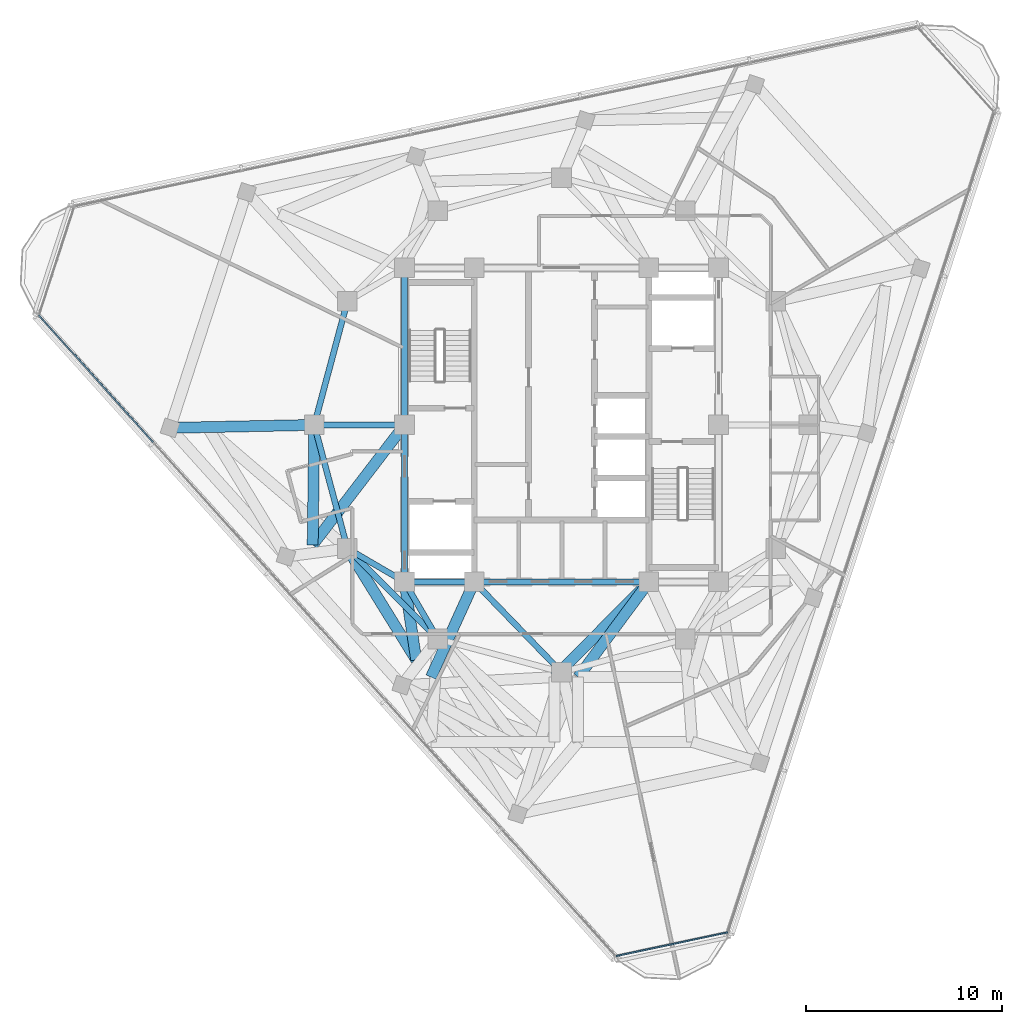
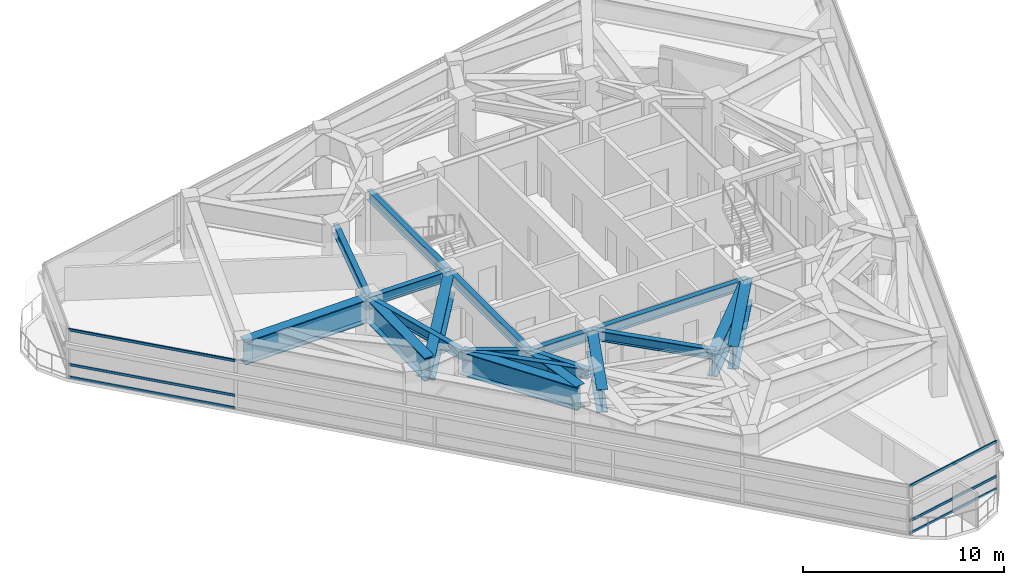
# One storey, part 3 of 15: 19 beams, 6 members, 2 elements without a shape of their own.
"""IFC4 building model written with IfcOpenShell, lengths in metres."""

from ifc_helpers import new_model, si_unit, direction, frame, origin, origin_2d, place, context, subcontext, project, spatial, rectangle, i_section, extrude, material, layer, layer_set, material_profile, profile_set, type_object, element, aggregate, save


model = new_model("IFC4")

# Units and contexts
model_context = context("Model", 3, precision=1e-05, world=origin(), true_north=direction((0.0, 1.0)))
body_context = subcontext(model_context, "Body", "Model", "MODEL_VIEW")
ifc_project = project(units=[si_unit("LENGTHUNIT", "METRE"), si_unit("AREAUNIT", "SQUARE_METRE"), si_unit("VOLUMEUNIT", "CUBIC_METRE"), si_unit("PLANEANGLEUNIT", "RADIAN"), si_unit("MASSUNIT", "GRAM", prefix="KILO")], contexts=[model_context])

# Site, building, storey
site_placement = place(None, origin())
site = spatial("IfcSite", under=ifc_project, at=site_placement, CompositionType="ELEMENT")
building_placement = place(site_placement, origin())
building = spatial("IfcBuilding", under=site, at=building_placement, Name="Terralouvre Media Tower", CompositionType="ELEMENT")
storey_placement = place(building_placement, frame((0.0, 0.0, 309.10009765625)))
storey = spatial("IfcBuildingStorey", under=building, at=storey_placement, Name="L80", CompositionType="ELEMENT", Elevation=309.10009765625)

# Curtain wall, members
ifc_material_1 = material(Name="Low-iron laminated double glazing with solar-control coating", Category="glass")
ifc_layer_1 = layer(ifc_material_1, 0.1650390625, Name="Faceted Glass-Point Crown Curtain Wall CW-06")
ifc_layer_set_1 = layer_set([ifc_layer_1], Name="Low-iron laminated double glazing with solar-control coating")
curtain_wall_type_1 = type_object("IfcCurtainWallType", Name="Faceted Glass-Point Crown Curtain Wall CW-06", PredefinedType="NOTDEFINED", material=ifc_layer_set_1)
curtain_wall_1_placement = place(storey_placement, origin())
curtain_wall_1 = element("IfcCurtainWall", 1, at=curtain_wall_1_placement, inside=storey, type_object=curtain_wall_type_1, Name="L80 Facade Curtain Wall F2", PredefinedType="NOTDEFINED")
ifc_material_2 = material(Name="Anodised extruded aluminium 6063-T6", Category="aluminium")
ifc_material_profile_1 = material_profile(ifc_material_2, rectangle(XDim=0.074951171875, YDim=0.14990234375, at=origin_2d()), Name="ALU 75x150")
ifc_profile_set_1 = profile_set([ifc_material_profile_1], Name="Anodised extruded aluminium 6063-T6")
member_type = type_object("IfcMemberType", Name="Curtain-Wall Horizontal Transom TR-150", PredefinedType="USERDEFINED", material=ifc_profile_set_1)
member_1_placement = place(storey_placement, frame((-26.64306640625, 5.59423828125, 0.037353515625), z_axis=(0.669130389016, -0.743145021174, 0.0), x_axis=(0.743145021174, 0.669130389016, 0.0)))
member_1 = element("IfcMember", 2, at=member_1_placement, type_object=member_type, Name="CW-06 transom 1.1", ObjectType="TRANSOM", PredefinedType="USERDEFINED", context=body_context, shape_type="SweptSolid", body=[
    extrude(rectangle(XDim=0.074951171875, YDim=0.14990234375, at=origin_2d()), origin(), (0.0, 0.0, 1.0), 8.71142578125),
])
member_2_placement = place(storey_placement, frame((-26.64306640625, 5.59423828125, 0.7998046875), z_axis=(0.669130389016, -0.743145021174, 0.0), x_axis=(0.743145021174, 0.669130389016, 0.0)))
member_2 = element("IfcMember", 3, at=member_2_placement, type_object=member_type, Name="CW-06 transom 1.2", ObjectType="TRANSOM", PredefinedType="USERDEFINED", context=body_context, shape_type="SweptSolid", body=[
    extrude(rectangle(XDim=0.074951171875, YDim=0.14990234375, at=origin_2d()), origin(), (0.0, 0.0, 1.0), 8.71142578125),
])
member_3_placement = place(storey_placement, frame((-26.64306640625, 5.59423828125, 2.90234375), z_axis=(0.669130389016, -0.743145021174, 0.0), x_axis=(0.743145021174, 0.669130389016, 0.0)))
member_3 = element("IfcMember", 4, at=member_3_placement, type_object=member_type, Name="CW-06 transom 1.3", ObjectType="TRANSOM", PredefinedType="USERDEFINED", context=body_context, shape_type="SweptSolid", body=[
    extrude(rectangle(XDim=0.074951171875, YDim=0.14990234375, at=origin_2d()), origin(), (0.0, 0.0, 1.0), 8.71142578125),
])
aggregate(curtain_wall_1, [member_1, member_2, member_3])

ifc_material_3 = material(Name="Low-iron laminated double glazing with solar-control coating", Category="glass")
ifc_layer_2 = layer(ifc_material_3, 0.1650390625, Name="Rounded Wind-Corner Curved Glazing CW-04")
ifc_layer_set_2 = layer_set([ifc_layer_2], Name="Low-iron laminated double glazing with solar-control coating")
curtain_wall_type_2 = type_object("IfcCurtainWallType", Name="Rounded Wind-Corner Curved Glazing CW-04", PredefinedType="NOTDEFINED", material=ifc_layer_set_2)
curtain_wall_2_placement = place(storey_placement, origin())
curtain_wall_2 = element("IfcCurtainWall", 5, at=curtain_wall_2_placement, inside=storey, type_object=curtain_wall_type_2, Name="L80 Rounded Wind-Corner Curtain Wall C0", PredefinedType="NOTDEFINED")
member_4_placement = place(storey_placement, frame((2.783935546875, -27.0654296875, 0.037353515625), z_axis=(0.978142503597, 0.207935669515, 0.0), x_axis=(-0.207935669515, 0.978142503597, 0.0)))
member_4 = element("IfcMember", 6, at=member_4_placement, type_object=member_type, Name="CW-04 transom 1.1", ObjectType="TRANSOM", PredefinedType="USERDEFINED", context=body_context, shape_type="SweptSolid", body=[
    extrude(rectangle(XDim=0.074951171875, YDim=0.14990234375, at=origin_2d()), origin(), (0.0, 0.0, 1.0), 5.808349609375),
])
member_5_placement = place(storey_placement, frame((2.783935546875, -27.0654296875, 0.7998046875), z_axis=(0.978142503597, 0.207935669515, 0.0), x_axis=(-0.207935669515, 0.978142503597, 0.0)))
member_5 = element("IfcMember", 7, at=member_5_placement, type_object=member_type, Name="CW-04 transom 1.2", ObjectType="TRANSOM", PredefinedType="USERDEFINED", context=body_context, shape_type="SweptSolid", body=[
    extrude(rectangle(XDim=0.074951171875, YDim=0.14990234375, at=origin_2d()), origin(), (0.0, 0.0, 1.0), 5.808349609375),
])
member_6_placement = place(storey_placement, frame((2.783935546875, -27.0654296875, 2.90234375), z_axis=(0.978142503597, 0.207935669515, 0.0), x_axis=(-0.207935669515, 0.978142503597, 0.0)))
member_6 = element("IfcMember", 8, at=member_6_placement, type_object=member_type, Name="CW-04 transom 1.3", ObjectType="TRANSOM", PredefinedType="USERDEFINED", context=body_context, shape_type="SweptSolid", body=[
    extrude(rectangle(XDim=0.074951171875, YDim=0.14990234375, at=origin_2d()), origin(), (0.0, 0.0, 1.0), 5.808349609375),
])
aggregate(curtain_wall_2, [member_4, member_5, member_6])

# Beams
ifc_material_4 = material(Name="Structural steel S460M", Category="steel")
ifc_material_profile_2 = material_profile(ifc_material_4, i_section(OverallWidth=0.300048828125, OverallDepth=0.60009765625, WebThickness=0.015380859375, FlangeThickness=0.030029296875, at=origin_2d()), Name="HEB 600")
ifc_profile_set_2 = profile_set([ifc_material_profile_2], Name="Structural steel S460M")
beam_type_1 = type_object("IfcBeamType", Name="Primary Floor Girder B-HEB600 (HEB 600)", PredefinedType="BEAM", material=ifc_profile_set_2)
beam_1_placement = place(storey_placement, frame((-8.0, -8.0, 3.139892578125), z_axis=(1.0, 0.0, 0.0), x_axis=(0.0, 1.0, 0.0)))
element("IfcBeam", 9, at=beam_1_placement, inside=storey, type_object=beam_type_1, Name="L80 Framing Beam BM-L80-CPR01", PredefinedType="BEAM", context=body_context, shape_type="SweptSolid", body=[
    extrude(i_section(OverallWidth=0.300048828125, OverallDepth=0.60009765625, WebThickness=0.015380859375, FlangeThickness=0.030029296875, at=origin_2d()), origin(), (0.0, 0.0, 1.0), 3.550048828125),
])
beam_2_placement = place(storey_placement, frame((-4.449951171875, -8.0, 3.139892578125), z_axis=(1.0, 0.0, 0.0), x_axis=(0.0, 1.0, 0.0)))
element("IfcBeam", 10, at=beam_2_placement, inside=storey, type_object=beam_type_1, Name="L80 Framing Beam BM-L80-CPR02", PredefinedType="BEAM", context=body_context, shape_type="SweptSolid", body=[
    extrude(i_section(OverallWidth=0.300048828125, OverallDepth=0.60009765625, WebThickness=0.015380859375, FlangeThickness=0.030029296875, at=origin_2d()), origin(), (0.0, 0.0, 1.0), 8.89990234375),
])
for number, where, z_axis, x_axis, name in (
    (11, (-8.0, 8.0, 3.139892578125), (0.0, -1.0, 0.0), (1.0, 0.0, 0.0), "L80 Framing Beam BM-L80-CPR09"),
    (12, (-8.0, 0.0, 3.139892578125), (0.0, -1.0, 0.0), (1.0, 0.0, 0.0), "L80 Framing Beam BM-L80-CPR10"),
):
    element("IfcBeam", number, at=place(storey_placement, frame(where, z_axis=z_axis, x_axis=x_axis)), inside=storey, type_object=beam_type_1, Name=name, PredefinedType="BEAM", context=body_context, shape_type="SweptSolid", body=[
        extrude(i_section(OverallWidth=0.300048828125, OverallDepth=0.60009765625, WebThickness=0.015380859375, FlangeThickness=0.030029296875, at=origin_2d()), origin(), (0.0, 0.0, 1.0), 8.0),
    ])
beam_3_placement = place(storey_placement, frame((-10.911865234375, -6.300048828125, 3.139892578125), z_axis=(0.707106781187, -0.707106781187, 0.0), x_axis=(0.707106781187, 0.707106781187, 0.0)))
element("IfcBeam", 13, at=beam_3_placement, inside=storey, type_object=beam_type_1, Name="L80 Framing Beam BM-L80-MR01", PredefinedType="BEAM", context=body_context, shape_type="SweptSolid", body=[
    extrude(i_section(OverallWidth=0.300048828125, OverallDepth=0.60009765625, WebThickness=0.015380859375, FlangeThickness=0.030029296875, at=origin_2d()), origin(), (0.0, 0.0, 1.0), 6.52197265625),
])
for number, where, z_axis, x_axis, name in (
    (14, (-10.911865234375, 6.300048828125, 3.139892578125), (-0.258838989821, -0.965920481897, 0.0), (0.965920481897, -0.258838989821, 0.0), "L80 Framing Beam BM-L80-MR11"),
    (15, (-12.60009765625, 0.0, 3.139892578125), (0.258838989821, -0.965920481897, 0.0), (0.965920481897, 0.258838989821, 0.0), "L80 Framing Beam BM-L80-MR12"),
):
    element("IfcBeam", number, at=place(storey_placement, frame(where, z_axis=z_axis, x_axis=x_axis)), inside=storey, type_object=beam_type_1, Name=name, PredefinedType="BEAM", context=body_context, shape_type="SweptSolid", body=[
        extrude(i_section(OverallWidth=0.300048828125, OverallDepth=0.60009765625, WebThickness=0.015380859375, FlangeThickness=0.030029296875, at=origin_2d()), origin(), (0.0, 0.0, 1.0), 6.522216796875),
    ])
for number, where, z_axis, x_axis, name in (
    (16, (-8.0, -8.0, 3.139892578125), (-0.863602894532, 0.504172629717, 0.0), (-0.504172629717, -0.863602894532, 0.0), "L80 Framing Beam BM-L80-CM01"),
    (17, (-8.0, -8.0, 3.139892578125), (0.504172629717, -0.863602894532, 0.0), (0.863602894532, 0.504172629717, 0.0), "L80 Framing Beam BM-L80-CM02"),
):
    element("IfcBeam", number, at=place(storey_placement, frame(where, z_axis=z_axis, x_axis=x_axis)), inside=storey, type_object=beam_type_1, Name=name, PredefinedType="BEAM", context=body_context, shape_type="SweptSolid", body=[
        extrude(i_section(OverallWidth=0.300048828125, OverallDepth=0.60009765625, WebThickness=0.015380859375, FlangeThickness=0.030029296875, at=origin_2d()), origin(), (0.0, 0.0, 1.0), 3.371826171875),
    ])
beam_4_placement = place(storey_placement, frame((-4.449951171875, -8.0, 3.139892578125), z_axis=(0.695279715726, -0.718739255155, 0.0), x_axis=(0.718739255155, 0.695279715726, 0.0)))
element("IfcBeam", 18, at=beam_4_placement, inside=storey, type_object=beam_type_1, Name="L80 Framing Beam BM-L80-CM03", PredefinedType="BEAM", context=body_context, shape_type="SweptSolid", body=[
    extrude(i_section(OverallWidth=0.300048828125, OverallDepth=0.60009765625, WebThickness=0.015380859375, FlangeThickness=0.030029296875, at=origin_2d()), origin(), (0.0, 0.0, 1.0), 6.400146484375),
])
beam_5_placement = place(storey_placement, frame((-8.0, 0.0, 3.139892578125), z_axis=(-1.0, 0.0, 0.0), x_axis=(0.0, -1.0, 0.0)))
element("IfcBeam", 19, at=beam_5_placement, inside=storey, type_object=beam_type_1, Name="L80 Framing Beam BM-L80-CM12", PredefinedType="BEAM", context=body_context, shape_type="SweptSolid", body=[
    extrude(i_section(OverallWidth=0.300048828125, OverallDepth=0.60009765625, WebThickness=0.015380859375, FlangeThickness=0.030029296875, at=origin_2d()), origin(), (0.0, 0.0, 1.0), 4.60009765625),
])
ifc_material_5 = material(Name="Structural steel S460M", Category="steel")
ifc_material_profile_3 = material_profile(ifc_material_5, i_section(OverallWidth=0.56005859375, OverallDepth=1.39990234375, WebThickness=0.031982421875, FlangeThickness=0.050048828125, at=origin_2d()), Name="TG 1400x560")
ifc_profile_set_3 = profile_set([ifc_material_profile_3], Name="Structural steel S460M")
beam_type_2 = type_object("IfcBeamType", Name="Welded Transfer Girder TG-1400 (TG 1400x560)", PredefinedType="USERDEFINED", material=ifc_profile_set_3)
beam_6_placement = place(storey_placement, frame((-12.60009765625, 0.0, 2.739990234375), z_axis=(-0.999787942628, -0.020592954534, 0.0), x_axis=(0.020592954534, -0.999787942628, 0.0)))
element("IfcBeam", 20, at=beam_6_placement, inside=storey, type_object=beam_type_2, Name="L80 Framing Beam BM-L80-RD01", ObjectType="TRANSFER GIRDER", PredefinedType="USERDEFINED", context=body_context, shape_type="SweptSolid", body=[
    extrude(i_section(OverallWidth=0.56005859375, OverallDepth=1.39990234375, WebThickness=0.031982421875, FlangeThickness=0.050048828125, at=origin_2d()), origin(), (0.0, 0.0, 1.0), 7.350341796875),
])
beam_7_placement = place(storey_placement, frame((-12.682861328125, -6.112548828125, 2.739990234375), z_axis=(0.013538719884, 0.999908347332, 0.0), x_axis=(-0.999908347332, 0.013538719884, 0.0)))
element("IfcBeam", 21, at=beam_7_placement, inside=storey, type_object=beam_type_2, Name="L80 Framing Beam BM-L80-TR10S1", ObjectType="TRANSFER GIRDER", PredefinedType="USERDEFINED", context=body_context, shape_type="SweptSolid", body=[
    extrude(i_section(OverallWidth=0.56005859375, OverallDepth=1.39990234375, WebThickness=0.031982421875, FlangeThickness=0.050048828125, at=origin_2d()), origin(), (0.0, 0.0, 1.0), 6.113037109375),
])
beam_8_placement = place(storey_placement, frame((-12.682861328125, -6.112548828125, 2.739990234375), z_axis=(0.608151277744, 0.79382115327, 0.0), x_axis=(-0.79382115327, 0.608151277744, 0.0)))
element("IfcBeam", 22, at=beam_8_placement, inside=storey, type_object=beam_type_2, Name="L80 Framing Beam BM-L80-TR10S2", ObjectType="TRANSFER GIRDER", PredefinedType="USERDEFINED", context=body_context, shape_type="SweptSolid", body=[
    extrude(i_section(OverallWidth=0.56005859375, OverallDepth=1.39990234375, WebThickness=0.031982421875, FlangeThickness=0.050048828125, at=origin_2d()), origin(), (0.0, 0.0, 1.0), 7.7001953125),
])
beam_9_placement = place(storey_placement, frame((-7.40478515625, -11.974609375, 2.739990234375), z_axis=(-0.148102804974, 0.988971970866, 0.0), x_axis=(-0.988971970866, -0.148102804974, 0.0)))
element("IfcBeam", 23, at=beam_9_placement, inside=storey, type_object=beam_type_2, Name="L80 Framing Beam BM-L80-TR11S1", ObjectType="TRANSFER GIRDER", PredefinedType="USERDEFINED", context=body_context, shape_type="SweptSolid", body=[
    extrude(i_section(OverallWidth=0.56005859375, OverallDepth=1.39990234375, WebThickness=0.031982421875, FlangeThickness=0.050048828125, at=origin_2d()), origin(), (0.0, 0.0, 1.0), 4.01904296875),
])
beam_10_placement = place(storey_placement, frame((-7.40478515625, -11.974609375, 2.739990234375), z_axis=(-0.525732065481, 0.850650219141, 0.0), x_axis=(-0.850650219141, -0.525732065481, 0.0)))
element("IfcBeam", 24, at=beam_10_placement, inside=storey, type_object=beam_type_2, Name="L80 Framing Beam BM-L80-TR11S2", ObjectType="TRANSFER GIRDER", PredefinedType="USERDEFINED", context=body_context, shape_type="SweptSolid", body=[
    extrude(i_section(OverallWidth=0.56005859375, OverallDepth=1.39990234375, WebThickness=0.031982421875, FlangeThickness=0.050048828125, at=origin_2d()), origin(), (0.0, 0.0, 1.0), 6.6708984375),
])
beam_11_placement = place(storey_placement, frame((-0.35009765625, -12.85009765625, 2.739990234375), z_axis=(0.703430032886, 0.710764510112, 0.0), x_axis=(-0.710764510112, 0.703430032886, 0.0)))
element("IfcBeam", 25, at=beam_11_placement, inside=storey, type_object=beam_type_2, Name="L80 Framing Beam BM-L80-TR16S1", ObjectType="TRANSFER GIRDER", PredefinedType="USERDEFINED", context=body_context, shape_type="SweptSolid", body=[
    extrude(i_section(OverallWidth=0.56005859375, OverallDepth=1.39990234375, WebThickness=0.031982421875, FlangeThickness=0.050048828125, at=origin_2d()), origin(), (0.0, 0.0, 1.0), 6.82373046875),
])
beam_12_placement = place(storey_placement, frame((-6.64990234375, -12.85009765625, 2.739990234375), z_axis=(0.413080961981, 0.910694305928, 0.0), x_axis=(-0.910694305928, 0.413080961981, 0.0)))
element("IfcBeam", 26, at=beam_12_placement, inside=storey, type_object=beam_type_2, Name="L80 Framing Beam BM-L80-TR17S1", ObjectType="TRANSFER GIRDER", PredefinedType="USERDEFINED", context=body_context, shape_type="SweptSolid", body=[
    extrude(i_section(OverallWidth=0.56005859375, OverallDepth=1.39990234375, WebThickness=0.031982421875, FlangeThickness=0.050048828125, at=origin_2d()), origin(), (0.0, 0.0, 1.0), 5.32568359375),
])
beam_13_placement = place(storey_placement, frame((0.85009765625, -12.85009765625, 2.739990234375), z_axis=(0.595995763339, 0.802987577788, 0.0), x_axis=(-0.802987577788, 0.595995763339, 0.0)))
element("IfcBeam", 27, at=beam_13_placement, inside=storey, type_object=beam_type_2, Name="L80 Framing Beam BM-L80-TR21S1", ObjectType="TRANSFER GIRDER", PredefinedType="USERDEFINED", context=body_context, shape_type="SweptSolid", body=[
    extrude(i_section(OverallWidth=0.56005859375, OverallDepth=1.39990234375, WebThickness=0.031982421875, FlangeThickness=0.050048828125, at=origin_2d()), origin(), (0.0, 0.0, 1.0), 6.0400390625),
])

save(model, "model.ifc")
